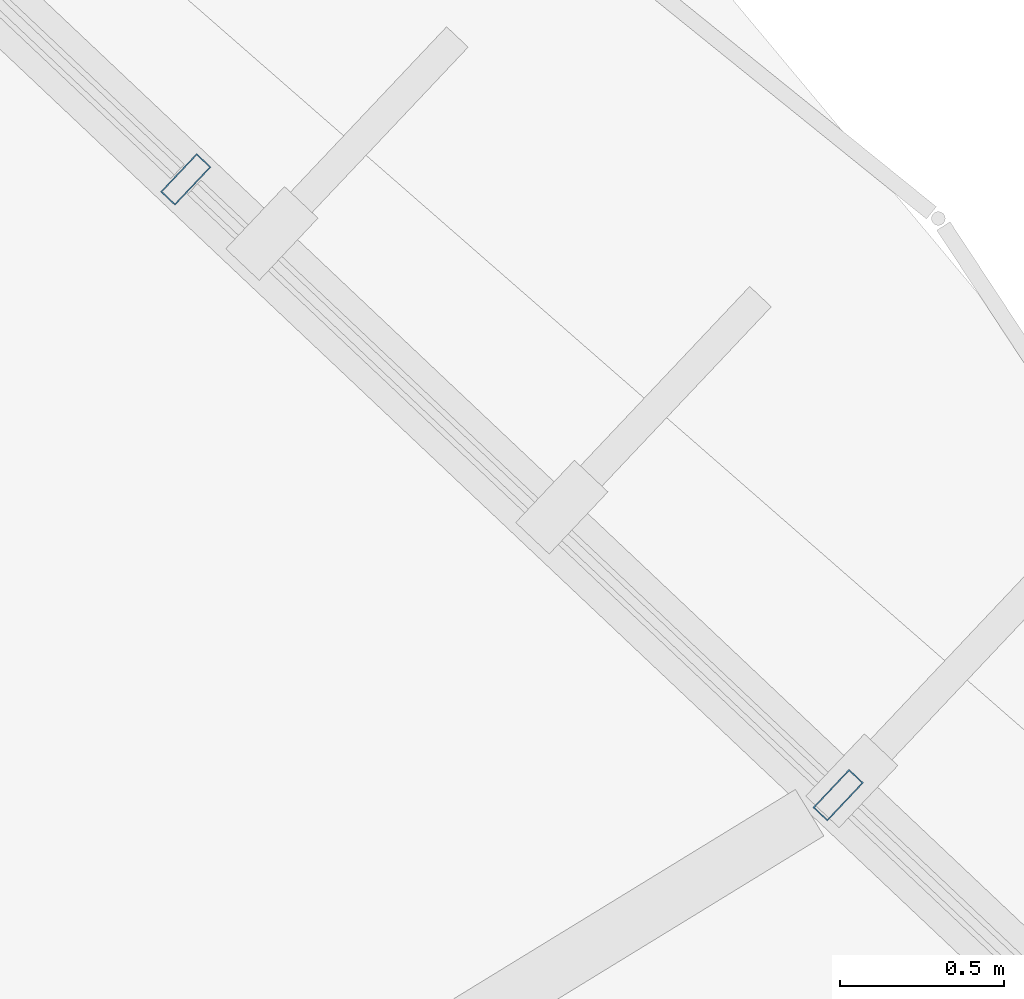
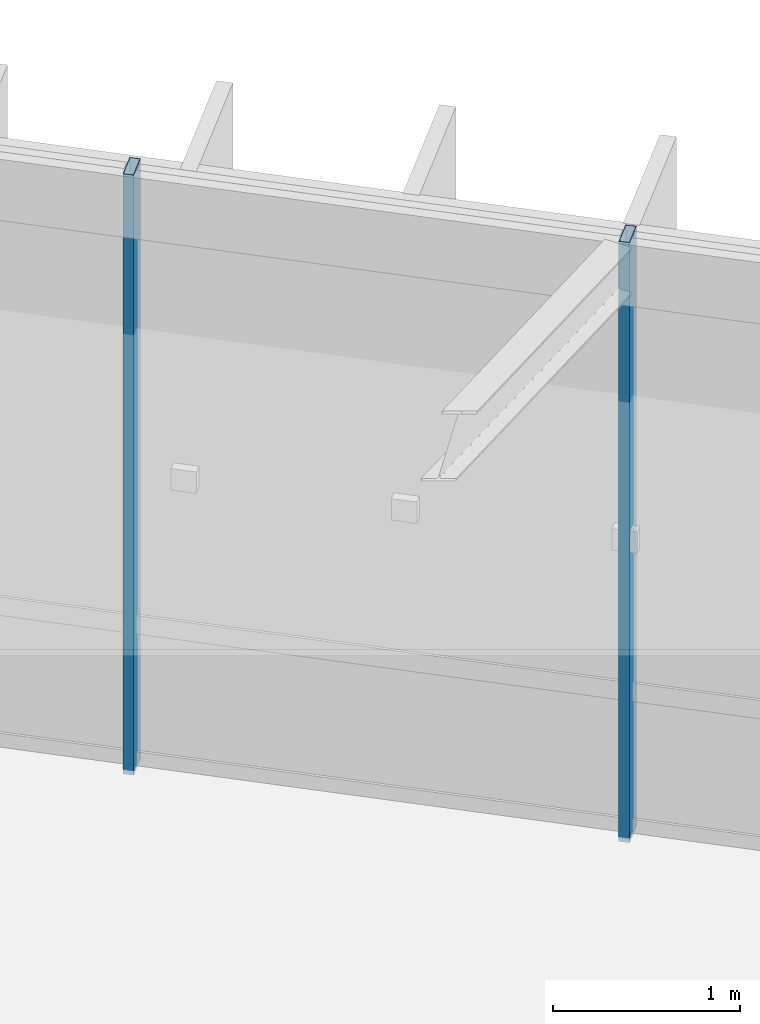
# One storey, part 55 of 79: 2 members, 1 element without a shape of its own.
"""IFC4 building model written with IfcOpenShell, lengths in metres."""

from ifc_helpers import new_model, si_unit, direction, frame, origin, origin_2d, place, context, subcontext, project, spatial, hollow_rectangle, extrude, material, material_profile, profile_set, type_object, element, aggregate, save


model = new_model("IFC4")

# Units and contexts
model_context = context("Model", 3, precision=1e-05, world=origin(), true_north=direction((0.0, 1.0)))
body_context = subcontext(model_context, "Body", "Model", "MODEL_VIEW")
ifc_project = project(units=[si_unit("LENGTHUNIT", "METRE"), si_unit("AREAUNIT", "SQUARE_METRE"), si_unit("VOLUMEUNIT", "CUBIC_METRE"), si_unit("PLANEANGLEUNIT", "RADIAN"), si_unit("MASSUNIT", "GRAM", prefix="KILO"), si_unit("THERMODYNAMICTEMPERATUREUNIT", "KELVIN"), si_unit("POWERUNIT", "WATT")], contexts=[model_context])

# Site, building, storey
site_placement = place(None, origin())
site = spatial("IfcSite", under=ifc_project, at=site_placement, CompositionType="ELEMENT")
building_placement = place(site_placement, origin())
building = spatial("IfcBuilding", under=site, at=building_placement, Name="Darbajah Civic Hall", CompositionType="ELEMENT")
storey_placement = place(building_placement, frame((0.0, 0.0, 22.199951171875)))
storey = spatial("IfcBuildingStorey", under=building, at=storey_placement, Name="L05", CompositionType="ELEMENT", Elevation=22.199951171875)

# Curtain wall, members
ifc_material_1 = material(Name="Anodised Bronze Aluminium and Low-E Glazing", Category="aluminium")
curtain_wall_type = type_object("IfcCurtainWallType", Name="Unitised Curtain Wall CW-63 10900x3900", PredefinedType="USERDEFINED", material=ifc_material_1)
curtain_wall_placement = place(storey_placement, origin())
curtain_wall = element("IfcCurtainWall", 1, at=curtain_wall_placement, inside=storey, type_object=curtain_wall_type, Name="L05 unitised curtain wall CW-V1O-L05-01", ObjectType="UNITISED CURTAIN WALL", PredefinedType="USERDEFINED")
ifc_material_2 = material(Name="Anodised Bronze Aluminium", Category="aluminium")
ifc_material_profile = material_profile(ifc_material_2, hollow_rectangle(XDim=0.06005859375, YDim=0.159912109375, WallThickness=0.00341796875, at=origin_2d()), Name="ALU MULLION 60x160")
ifc_profile_set = profile_set([ifc_material_profile], Name="Anodised Bronze Aluminium")
member_type = type_object("IfcMemberType", Name="ALU MULLION 60x160", PredefinedType="MULLION", material=ifc_profile_set)
member_1_placement = place(storey_placement, frame((132.04931640625, 105.02392578125, 0.0), z_axis=(0.0, 0.0, 1.0), x_axis=(-0.727173991201, 0.686453193248, 0.0)))
member_1 = element("IfcMember", 2, at=member_1_placement, type_object=member_type, Name="CW-V1O-L05-01 mullion 3", PredefinedType="MULLION", context=body_context, shape_type="SweptSolid", body=[
    extrude(hollow_rectangle(XDim=0.06005859375, YDim=0.159912109375, WallThickness=0.00341796875, at=origin_2d()), origin(), (0.0, 0.0, 1.0), 3.920166015625),
])
member_2_placement = place(storey_placement, frame((130.065673828125, 106.896240234375, 0.0), z_axis=(0.0, 0.0, 1.0), x_axis=(-0.727173991201, 0.686453193248, 0.0)))
member_2 = element("IfcMember", 3, at=member_2_placement, type_object=member_type, Name="CW-V1O-L05-01 mullion 4", PredefinedType="MULLION", context=body_context, shape_type="SweptSolid", body=[
    extrude(hollow_rectangle(XDim=0.06005859375, YDim=0.159912109375, WallThickness=0.00341796875, at=origin_2d()), origin(), (0.0, 0.0, 1.0), 3.920166015625),
])
aggregate(curtain_wall, [member_1, member_2])

save(model, "model.ifc")
